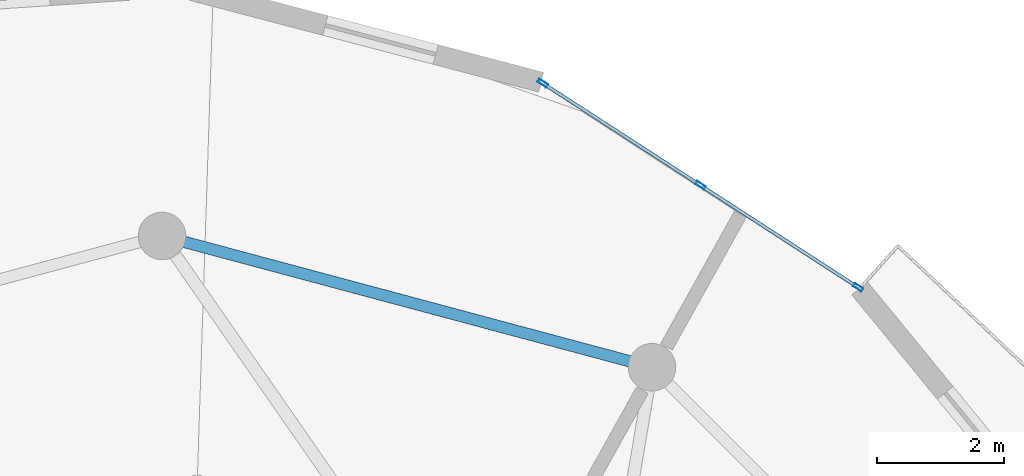
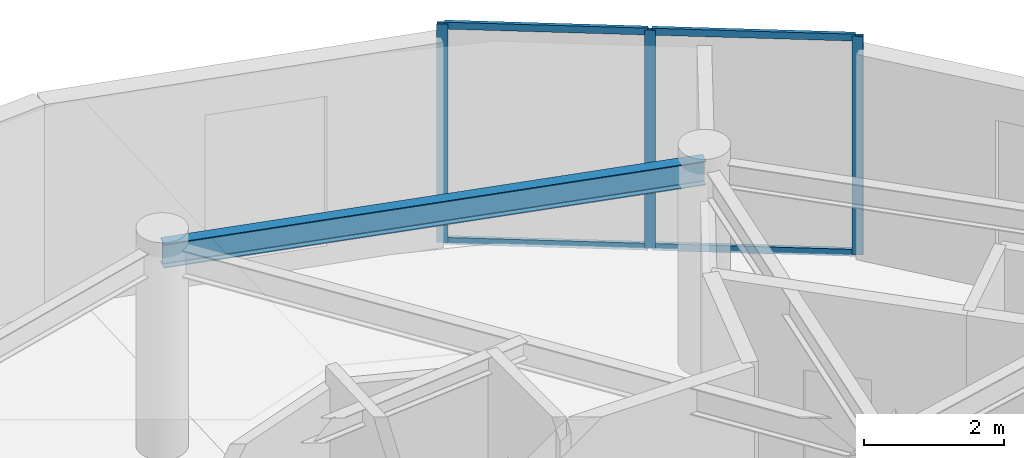
# One storey, part 15 of 22: 7 members, 1 beam, 1 element without a shape of its own.
"""IFC4 building model written with IfcOpenShell, lengths in metres."""

from ifc_helpers import new_model, si_unit, direction, frame, origin, origin_2d, place, context, subcontext, project, spatial, hollow_rectangle, i_section, extrude, source, transform, mapped, material, layer, layer_set, material_profile, profile_set, type_object, element, aggregate, save


model = new_model("IFC4")

# Units and contexts
model_context = context("Model", 3, precision=1e-05, world=origin(), true_north=direction((0.0, 1.0)))
body_context = subcontext(model_context, "Body", "Model", "MODEL_VIEW")
ifc_project = project(units=[si_unit("LENGTHUNIT", "METRE"), si_unit("AREAUNIT", "SQUARE_METRE"), si_unit("VOLUMEUNIT", "CUBIC_METRE"), si_unit("PLANEANGLEUNIT", "RADIAN"), si_unit("MASSUNIT", "GRAM", prefix="KILO")], contexts=[model_context])

# Site, building, storey
site_placement = place(None, origin())
site = spatial("IfcSite", under=ifc_project, at=site_placement, CompositionType="ELEMENT")
building_placement = place(site_placement, origin())
building = spatial("IfcBuilding", under=site, at=building_placement, Name="Solvirekh Grand Hotel", CompositionType="ELEMENT")
storey_placement = place(building_placement, frame((0.0, 0.0, 243.0)))
storey = spatial("IfcBuildingStorey", under=building, at=storey_placement, Name="L63", CompositionType="ELEMENT", Elevation=243.0)

# Beam
ifc_material_1 = material(Name="Steel S355", Category="steel")
ifc_material_profile_1 = material_profile(ifc_material_1, i_section(OverallWidth=0.180908203125, OverallDepth=0.4169921875, WebThickness=0.010009765625, FlangeThickness=0.01611328125, FilletRadius=0.011962890625, at=origin_2d()), Name="W410X85")
ifc_profile_set_1 = profile_set([ifc_material_profile_1], Name="Steel S355")
beam_type = type_object("IfcBeamType", Name="Spandrel_Ring_W410", PredefinedType="SPANDREL", material=ifc_profile_set_1)
beam_placement = place(storey_placement, frame((7.72509765625, 13.3798828125, 3.362060546875), z_axis=(-0.965921616143, 0.258834757072, 0.0), x_axis=(-0.258834757072, -0.965921616143, 0.0)))
element("IfcBeam", 1, at=beam_placement, inside=storey, type_object=beam_type, Name="L63 perimeter spandrel beam 3", PredefinedType="SPANDREL", context=body_context, shape_type="SweptSolid", body=[
    extrude(i_section(OverallWidth=0.180908203125, OverallDepth=0.4169921875, WebThickness=0.010009765625, FlangeThickness=0.01611328125, FilletRadius=0.011962890625, at=origin_2d()), origin(), (0.0, 0.0, 1.0), 7.99755859375),
])

# Curtain wall, members
ifc_material_2 = material(Name="Anodized Bronze Aluminium 6063-T6", Category="aluminium")
ifc_layer = layer(ifc_material_2, 0.159912109375)
ifc_layer_set = layer_set([ifc_layer], Name="Anodized Bronze Aluminium 6063-T6")
curtain_wall_type = type_object("IfcCurtainWallType", Name="CW_Sys4_HighZoneFlushBronzeCW", PredefinedType="NOTDEFINED", material=ifc_layer_set)
curtain_wall_placement = place(storey_placement, origin())
curtain_wall = element("IfcCurtainWall", 2, at=curtain_wall_placement, inside=storey, type_object=curtain_wall_type, Name="L63 unitised bronze-glass curtain wall CW-L63-C08", PredefinedType="NOTDEFINED")
ifc_material_profile_2 = material_profile(ifc_material_2, hollow_rectangle(XDim=0.06005859375, YDim=0.159912109375, WallThickness=0.0048828125, at=origin_2d()), Name="ALU RHS 160X60X5")
ifc_profile_set_2 = profile_set([ifc_material_profile_2], Name="Anodized Bronze Aluminium 6063-T6")
member_type_1 = type_object("IfcMemberType", Name="CWMullion_Sys4", PredefinedType="MULLION", material=ifc_profile_set_2)
shared_shape_1 = source(origin(), body_context, "Body", "SweptSolid", [
    extrude(hollow_rectangle(XDim=0.06005859375, YDim=0.159912109375, WallThickness=0.0048828125, at=origin_2d()), origin(), (0.0, 0.0, 1.0), 3.800048828125),
])
member_1_placement = place(storey_placement, frame((10.975830078125, 14.639404296875, 0.0), z_axis=(0.0, 0.0, 1.0), x_axis=(-0.543507576279, -0.839404261681, 0.0)))
member_1 = element("IfcMember", 3, at=member_1_placement, type_object=member_type_1, Name="U04 mullion 1", PredefinedType="MULLION", context=body_context, shape_type="MappedRepresentation", body=[
    mapped(shared_shape_1, transform((0.0, 0.0, 0.0), x_axis=(1.0, 0.0, 0.0), y_axis=(0.0, 1.0, 0.0), z_axis=(0.0, 0.0, 1.0), scale=1.0)),
])
member_2_placement = place(storey_placement, frame((8.489013671875, 16.24951171875, 0.0), z_axis=(0.0, 0.0, 1.0), x_axis=(-0.543507576279, -0.839404261681, 0.0)))
member_2 = element("IfcMember", 4, at=member_2_placement, type_object=member_type_1, Name="U04 mullion 2", PredefinedType="MULLION", context=body_context, shape_type="MappedRepresentation", body=[
    mapped(shared_shape_1, transform((0.0, 0.0, 0.0), x_axis=(1.0, 0.0, 0.0), y_axis=(0.0, 1.0, 0.0), z_axis=(0.0, 0.0, 1.0), scale=1.0)),
])
member_3_placement = place(storey_placement, frame((6.002197265625, 17.859619140625, 0.0), z_axis=(0.0, 0.0, 1.0), x_axis=(-0.543507576279, -0.839404261681, 0.0)))
member_3 = element("IfcMember", 5, at=member_3_placement, type_object=member_type_1, Name="U04 mullion 3", PredefinedType="MULLION", context=body_context, shape_type="MappedRepresentation", body=[
    mapped(shared_shape_1, transform((0.0, 0.0, 0.0), x_axis=(1.0, 0.0, 0.0), y_axis=(0.0, 1.0, 0.0), z_axis=(0.0, 0.0, 1.0), scale=1.0)),
])
ifc_material_profile_3 = material_profile(ifc_material_2, hollow_rectangle(XDim=0.054931640625, YDim=0.1201171875, WallThickness=0.00390625, at=origin_2d()), Name="ALU RHS 120X55X4")
ifc_profile_set_3 = profile_set([ifc_material_profile_3], Name="Anodized Bronze Aluminium 6063-T6")
member_type_2 = type_object("IfcMemberType", Name="CWTransom_Sys4", PredefinedType="USERDEFINED", material=ifc_profile_set_3)
shared_shape_2 = source(origin(), body_context, "Body", "SweptSolid", [
    extrude(hollow_rectangle(XDim=0.054931640625, YDim=0.1201171875, WallThickness=0.00390625, at=origin_2d()), origin(), (0.0, 0.0, 1.0), 2.902587890625),
])
member_4_placement = place(storey_placement, frame((10.95068359375, 14.655517578125, 0.027587890625), z_axis=(-0.839403131285, 0.543509322081, 0.0), x_axis=(-0.543509322081, -0.839403131285, 0.0)))
member_4 = element("IfcMember", 6, at=member_4_placement, type_object=member_type_2, Name="U04 transom 1.1", ObjectType="TRANSOM", PredefinedType="USERDEFINED", context=body_context, shape_type="MappedRepresentation", body=[
    mapped(shared_shape_2, transform((0.0, 0.0, 0.0), x_axis=(1.0, 0.0, 0.0), y_axis=(0.0, 1.0, 0.0), z_axis=(0.0, 0.0, 1.0), scale=1.0)),
])
member_5_placement = place(storey_placement, frame((10.95068359375, 14.655517578125, 3.7724609375), z_axis=(-0.839403131285, 0.543509322081, 0.0), x_axis=(-0.543509322081, -0.839403131285, 0.0)))
member_5 = element("IfcMember", 7, at=member_5_placement, type_object=member_type_2, Name="U04 transom 1.2", ObjectType="TRANSOM", PredefinedType="USERDEFINED", context=body_context, shape_type="MappedRepresentation", body=[
    mapped(shared_shape_2, transform((0.0, 0.0, 0.0), x_axis=(1.0, 0.0, 0.0), y_axis=(0.0, 1.0, 0.0), z_axis=(0.0, 0.0, 1.0), scale=1.0)),
])
member_6_placement = place(storey_placement, frame((8.4638671875, 16.265869140625, 0.027587890625), z_axis=(-0.839403131285, 0.543509322081, 0.0), x_axis=(-0.543509322081, -0.839403131285, 0.0)))
member_6 = element("IfcMember", 8, at=member_6_placement, type_object=member_type_2, Name="U04 transom 2.1", ObjectType="TRANSOM", PredefinedType="USERDEFINED", context=body_context, shape_type="MappedRepresentation", body=[
    mapped(shared_shape_2, transform((0.0, 0.0, 0.0), x_axis=(1.0, 0.0, 0.0), y_axis=(0.0, 1.0, 0.0), z_axis=(0.0, 0.0, 1.0), scale=1.0)),
])
member_7_placement = place(storey_placement, frame((8.4638671875, 16.265869140625, 3.7724609375), z_axis=(-0.839403131285, 0.543509322081, 0.0), x_axis=(-0.543509322081, -0.839403131285, 0.0)))
member_7 = element("IfcMember", 9, at=member_7_placement, type_object=member_type_2, Name="U04 transom 2.2", ObjectType="TRANSOM", PredefinedType="USERDEFINED", context=body_context, shape_type="MappedRepresentation", body=[
    mapped(shared_shape_2, transform((0.0, 0.0, 0.0), x_axis=(1.0, 0.0, 0.0), y_axis=(0.0, 1.0, 0.0), z_axis=(0.0, 0.0, 1.0), scale=1.0)),
])
aggregate(curtain_wall, [member_1, member_2, member_3, member_4, member_5, member_6, member_7])

save(model, "model.ifc")
